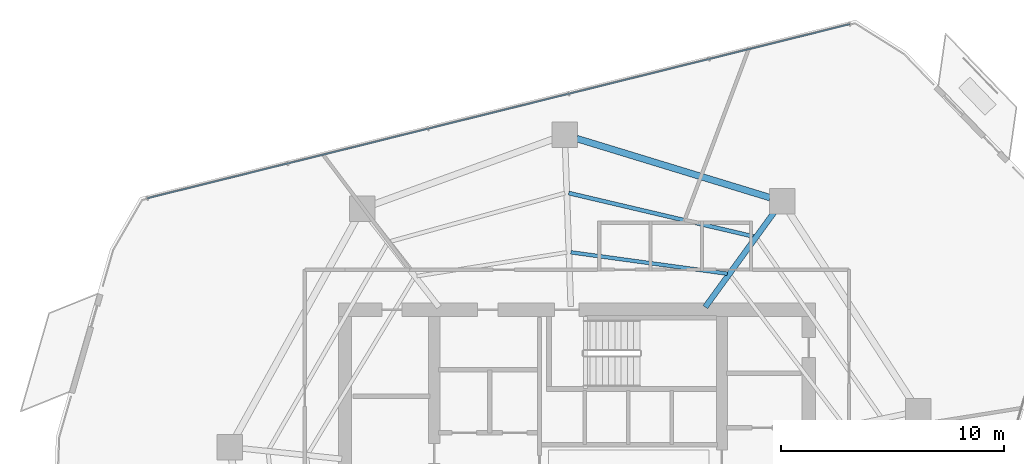
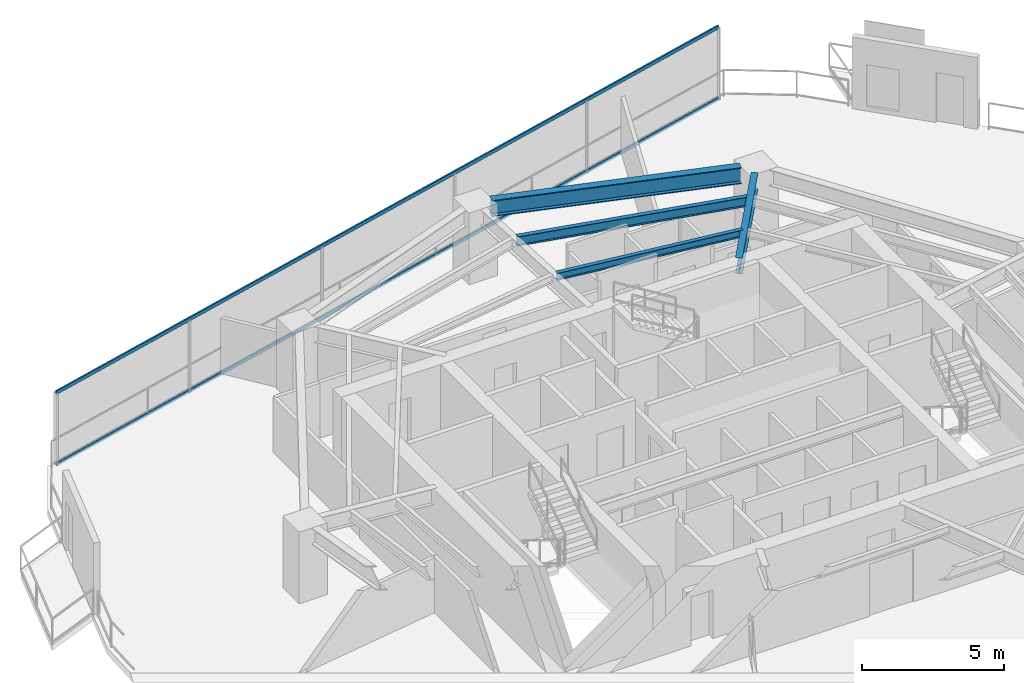
# One storey, part 14 of 23: 4 beams, 2 members, 1 element without a shape of its own.
"""IFC4 building model written with IfcOpenShell, lengths in metres."""

from ifc_helpers import new_model, si_unit, direction, frame, origin, origin_2d, place, context, subcontext, project, spatial, hollow_rectangle, i_section, extrude, material, layer, layer_set, material_profile, profile_set, type_object, element, aggregate, save


model = new_model("IFC4")

# Units and contexts
model_context = context("Model", 3, precision=1e-05, world=origin(), true_north=direction((0.0, 1.0)))
body_context = subcontext(model_context, "Body", "Model", "MODEL_VIEW")
ifc_project = project(units=[si_unit("LENGTHUNIT", "METRE"), si_unit("AREAUNIT", "SQUARE_METRE"), si_unit("VOLUMEUNIT", "CUBIC_METRE"), si_unit("PLANEANGLEUNIT", "RADIAN"), si_unit("MASSUNIT", "GRAM", prefix="KILO")], contexts=[model_context])

# Site, building, storey
site_placement = place(None, origin())
site = spatial("IfcSite", under=ifc_project, at=site_placement, CompositionType="ELEMENT")
building_placement = place(site_placement, origin())
building = spatial("IfcBuilding", under=site, at=building_placement, Name="Qarnah Convention Tower", CompositionType="ELEMENT")
storey_placement = place(building_placement, frame((0.0, 0.0, 117.75)))
storey = spatial("IfcBuildingStorey", under=building, at=storey_placement, Name="L31", CompositionType="ELEMENT", Elevation=117.75)

# Beams
ifc_material_1 = material(Name="Structural steel S355JR", Category="steel")
ifc_material_profile_1 = material_profile(ifc_material_1, i_section(OverallWidth=0.166015625, OverallDepth=0.31201171875, WebThickness=0.007080078125, FlangeThickness=0.010986328125, at=origin_2d()), Name="W310X45")
ifc_profile_set_1 = profile_set([ifc_material_profile_1], Name="Structural steel S355JR")
beam_type_1 = type_object("IfcBeamType", Name="BM-JST-W310", PredefinedType="JOIST", material=ifc_profile_set_1)
beam_1_placement = place(storey_placement, frame((43.944091796875, 35.81591796875, 2.93408203125), z_axis=(-0.99079026903, 0.135405475498, 0.0), x_axis=(-0.135405475498, -0.99079026903, 0.0)))
element("IfcBeam", 1, at=beam_1_placement, inside=storey, type_object=beam_type_1, Name="L31 joist BM-L31-IJST-02", PredefinedType="JOIST", context=body_context, shape_type="SweptSolid", body=[
    extrude(i_section(OverallWidth=0.166015625, OverallDepth=0.31201171875, WebThickness=0.007080078125, FlangeThickness=0.010986328125, at=origin_2d()), origin(), (0.0, 0.0, 1.0), 7.082275390625),
])
ifc_material_profile_2 = material_profile(ifc_material_1, i_section(OverallWidth=0.177978515625, OverallDepth=0.407958984375, WebThickness=0.008056640625, FlangeThickness=0.012939453125, at=origin_2d()), Name="W410X60")
ifc_profile_set_2 = profile_set([ifc_material_profile_2], Name="Structural steel S355JR")
beam_type_2 = type_object("IfcBeamType", Name="BM-JST-W410", PredefinedType="JOIST", material=ifc_profile_set_2)
beam_2_placement = place(storey_placement, frame((45.14501953125, 37.47802734375, 2.885986328125), z_axis=(-0.973473006102, 0.228801893328, 0.0), x_axis=(-0.228801893328, -0.973473006102, 0.0)))
element("IfcBeam", 2, at=beam_2_placement, inside=storey, type_object=beam_type_2, Name="L31 joist BM-L31-SJST-02", PredefinedType="JOIST", context=body_context, shape_type="SweptSolid", body=[
    extrude(i_section(OverallWidth=0.177978515625, OverallDepth=0.407958984375, WebThickness=0.008056640625, FlangeThickness=0.012939453125, at=origin_2d()), origin(), (0.0, 0.0, 1.0), 8.53955078125),
])
ifc_material_profile_3 = material_profile(ifc_material_1, i_section(OverallWidth=0.25390625, OverallDepth=0.68798828125, WebThickness=0.012939453125, FlangeThickness=0.02099609375, at=origin_2d()), Name="W690X152")
ifc_profile_set_3 = profile_set([ifc_material_profile_3], Name="Structural steel S355JR")
beam_type_3 = type_object("IfcBeamType", Name="BM-RAD-W690", PredefinedType="BEAM", material=ifc_profile_set_3)
beam_3_placement = place(storey_placement, frame((42.955078125, 34.321044921875, 2.74609375), z_axis=(0.587824069471, 0.808988790621, 0.0), x_axis=(-0.808988790621, 0.587824069471, 0.0)))
element("IfcBeam", 3, at=beam_3_placement, inside=storey, type_object=beam_type_3, Name="L31 beam BM-L31-RAD-02", PredefinedType="BEAM", context=body_context, shape_type="SweptSolid", body=[
    extrude(i_section(OverallWidth=0.25390625, OverallDepth=0.68798828125, WebThickness=0.012939453125, FlangeThickness=0.02099609375, at=origin_2d()), origin(), (0.0, 0.0, 1.0), 5.30419921875),
])
ifc_material_profile_4 = material_profile(ifc_material_1, i_section(OverallWidth=0.300048828125, OverallDepth=0.699951171875, WebThickness=0.01708984375, FlangeThickness=0.031982421875, at=origin_2d()), Name="HEB700")
ifc_profile_set_4 = profile_set([ifc_material_profile_4], Name="Structural steel S355JR")
beam_type_4 = type_object("IfcBeamType", Name="BM-RING-HEB700", PredefinedType="BEAM", material=ifc_profile_set_4)
beam_4_placement = place(storey_placement, frame((45.85888671875, 39.22607421875, 2.739990234375), z_axis=(-0.956309936148, 0.292354760565, 0.0), x_axis=(-0.292354760565, -0.956309936148, 0.0)))
element("IfcBeam", 4, at=beam_4_placement, inside=storey, type_object=beam_type_4, Name="L31 beam BM-L31-SPN-02", PredefinedType="BEAM", context=body_context, shape_type="SweptSolid", body=[
    extrude(i_section(OverallWidth=0.300048828125, OverallDepth=0.699951171875, WebThickness=0.01708984375, FlangeThickness=0.031982421875, at=origin_2d()), origin(), (0.0, 0.0, 1.0), 9.060546875),
])

# Curtain wall, members
ifc_material_2 = material(Name="Tempered Low-E dark glass", Category="glass")
ifc_layer = layer(ifc_material_2, 0.169921875)
ifc_layer_set = layer_set([ifc_layer], Name="Tempered Low-E dark glass")
curtain_wall_type = type_object("IfcCurtainWallType", Name="CWS-02", PredefinedType="NOTDEFINED", material=ifc_layer_set)
curtain_wall_placement = place(storey_placement, origin())
curtain_wall = element("IfcCurtainWall", 5, at=curtain_wall_placement, inside=storey, type_object=curtain_wall_type, Name="L31 unitised curtain wall CW-L31-F1", PredefinedType="NOTDEFINED")
ifc_material_3 = material(Name="Black anodised aluminium", Category="aluminium")
ifc_material_profile_5 = material_profile(ifc_material_3, hollow_rectangle(XDim=0.06494140625, YDim=0.14990234375, WallThickness=0.00390625, at=origin_2d()), Name="TRN-65X150")
ifc_profile_set_5 = profile_set([ifc_material_profile_5], Name="Black anodised aluminium")
member_type = type_object("IfcMemberType", Name="TRN-T2", PredefinedType="USERDEFINED", material=ifc_profile_set_5)
member_1_placement = place(storey_placement, frame((17.928955078125, 39.197021484375, 0.0), z_axis=(0.970639568468, 0.240538620857, 0.0), x_axis=(-0.240538620857, 0.970639568468, 0.0)))
member_1 = element("IfcMember", 6, at=member_1_placement, type_object=member_type, Name="CW-L31-F1 transom 1", ObjectType="TRANSOM", PredefinedType="USERDEFINED", context=body_context, shape_type="SweptSolid", body=[
    extrude(hollow_rectangle(XDim=0.06494140625, YDim=0.14990234375, WallThickness=0.00390625, at=origin_2d()), origin(), (0.0, 0.0, 1.0), 32.455810546875),
])
member_2_placement = place(storey_placement, frame((17.928955078125, 39.197021484375, 3.090087890625), z_axis=(0.970639568468, 0.240538620857, 0.0), x_axis=(-0.240538620857, 0.970639568468, 0.0)))
member_2 = element("IfcMember", 7, at=member_2_placement, type_object=member_type, Name="CW-L31-F1 transom 2", ObjectType="TRANSOM", PredefinedType="USERDEFINED", context=body_context, shape_type="SweptSolid", body=[
    extrude(hollow_rectangle(XDim=0.06494140625, YDim=0.14990234375, WallThickness=0.00390625, at=origin_2d()), origin(), (0.0, 0.0, 1.0), 32.455810546875),
])
aggregate(curtain_wall, [member_1, member_2])

save(model, "model.ifc")
